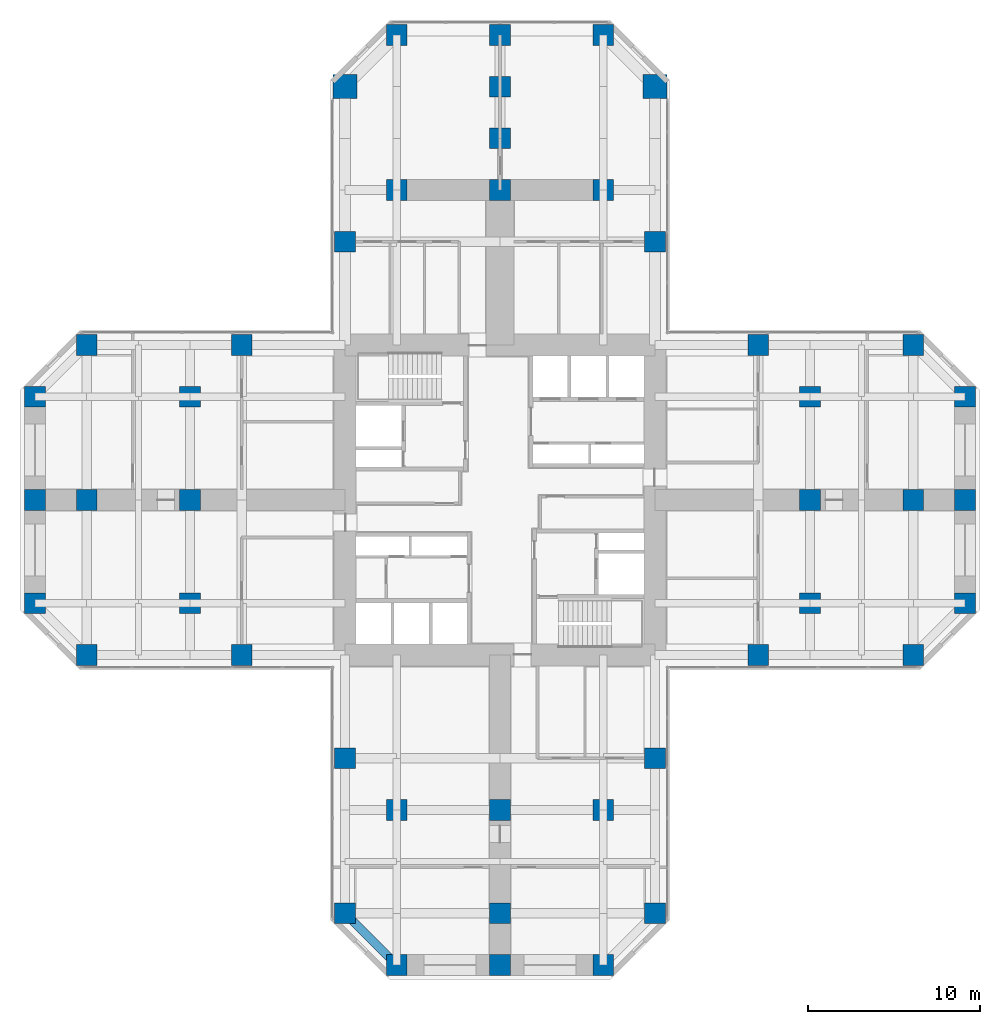
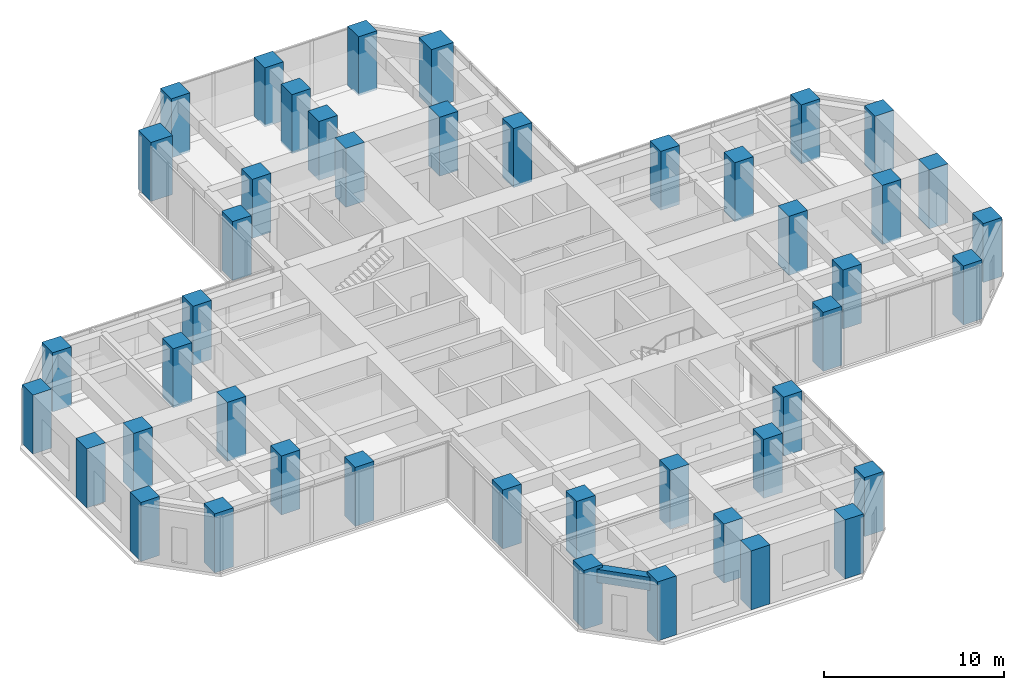
# One storey, part 1 of 12: 45 columns, 1 beam.
"""IFC4 building model written with IfcOpenShell, lengths in metres."""

from ifc_helpers import new_model, si_unit, direction, frame, origin, origin_2d, place, context, subcontext, project, spatial, rectangle, extrude, material, material_profile, profile_set, type_object, element, save


model = new_model("IFC4")

# Units and contexts
model_context = context("Model", 3, precision=1e-05, world=origin(), true_north=direction((0.0, 1.0)))
body_context = subcontext(model_context, "Body", "Model", "MODEL_VIEW")
ifc_project = project(units=[si_unit("LENGTHUNIT", "METRE"), si_unit("AREAUNIT", "SQUARE_METRE"), si_unit("VOLUMEUNIT", "CUBIC_METRE"), si_unit("PLANEANGLEUNIT", "RADIAN"), si_unit("MASSUNIT", "GRAM", prefix="KILO")], contexts=[model_context])

# Site, building, storey
site_placement = place(None, origin())
site = spatial("IfcSite", under=ifc_project, at=site_placement, CompositionType="ELEMENT")
building_placement = place(site_placement, origin())
building = spatial("IfcBuilding", under=site, at=building_placement, Name="Torre Cruceta", CompositionType="ELEMENT")
storey_placement = place(building_placement, frame((0.0, 0.0, 87.5)))
storey = spatial("IfcBuildingStorey", under=building, at=storey_placement, Name="L21", CompositionType="ELEMENT", Elevation=87.5)

# Columns
ifc_material_1 = material(Name="Concrete G60 (fck 60 MPa)", Category="concrete")
ifc_material_profile_1 = material_profile(ifc_material_1, rectangle(XDim=1.199951171875, YDim=1.199951171875, at=origin_2d()), Name="RC 1200X1200")
ifc_profile_set_1 = profile_set([ifc_material_profile_1], Name="Concrete G60 (fck 60 MPa)")
column_type_1 = type_object("IfcColumnType", Name="COLUMN RC 1200X1200", PredefinedType="COLUMN", material=ifc_profile_set_1)
for number, where, z_axis, x_axis, name in (
    (1, (9.0, 15.0, 0.0), (0.0, 0.0, 1.0), (1.0, 0.0, 0.0), "C3 L21 N side"),
    (2, (-9.0, 15.0, 0.0), (0.0, 0.0, 1.0), (1.0, 0.0, 0.0), "C3 L21 N side"),
    (3, (6.0, 27.0, 0.0), (0.0, 0.0, 1.0), (1.0, 0.0, 0.0), "C3 L21 N tip"),
    (4, (0.0, 27.0, 0.0), (0.0, 0.0, 1.0), (1.0, 0.0, 0.0), "C3 L21 N tip"),
    (5, (-6.0, 27.0, 0.0), (0.0, 0.0, 1.0), (1.0, 0.0, 0.0), "C3 L21 N tip"),
    (6, (15.0, -9.0, 0.0), (0.0, 0.0, 1.0), (1.0, 0.0, 0.0), "C3 L21 E side"),
    (7, (24.0, -9.0, 0.0), (0.0, 0.0, 1.0), (1.0, 0.0, 0.0), "C3 L21 E chamfer"),
    (8, (15.0, 9.0, 0.0), (0.0, 0.0, 1.0), (1.0, 0.0, 0.0), "C3 L21 E side"),
    (9, (24.0, 9.0, 0.0), (0.0, 0.0, 1.0), (1.0, 0.0, 0.0), "C3 L21 E chamfer"),
    (10, (27.0, -6.0, 0.0), (0.0, 0.0, 1.0), (1.0, 0.0, 0.0), "C3 L21 E tip"),
    (11, (27.0, 0.0, 0.0), (0.0, 0.0, 1.0), (1.0, 0.0, 0.0), "C3 L21 E tip"),
    (12, (27.0, 6.0, 0.0), (0.0, 0.0, 1.0), (1.0, 0.0, 0.0), "C3 L21 E tip"),
    (13, (-9.0, -15.0, 0.0), (0.0, 0.0, 1.0), (1.0, 0.0, 0.0), "C3 L21 S side"),
    (14, (-9.0, -24.0, 0.0), (0.0, 0.0, 1.0), (1.0, 0.0, 0.0), "C3 L21 S chamfer"),
    (15, (9.0, -15.0, 0.0), (0.0, 0.0, 1.0), (1.0, 0.0, 0.0), "C3 L21 S side"),
    (16, (9.0, -24.0, 0.0), (0.0, 0.0, 1.0), (1.0, 0.0, 0.0), "C3 L21 S chamfer"),
    (17, (-6.0, -27.0, 0.0), (0.0, 0.0, 1.0), (1.0, 0.0, 0.0), "C3 L21 S tip"),
    (18, (0.0, -27.0, 0.0), (0.0, 0.0, 1.0), (1.0, 0.0, 0.0), "C3 L21 S tip"),
    (19, (6.0, -27.0, 0.0), (0.0, 0.0, 1.0), (1.0, 0.0, 0.0), "C3 L21 S tip"),
    (20, (-15.0, 9.0, 0.0), (0.0, 0.0, 1.0), (1.0, 0.0, 0.0), "C3 L21 W side"),
    (21, (-24.0, 9.0, 0.0), (0.0, 0.0, 1.0), (1.0, 0.0, 0.0), "C3 L21 W chamfer"),
    (22, (-15.0, -9.0, 0.0), (0.0, 0.0, 1.0), (1.0, 0.0, 0.0), "C3 L21 W side"),
    (23, (-24.0, -9.0, 0.0), (0.0, 0.0, 1.0), (1.0, 0.0, 0.0), "C3 L21 W chamfer"),
    (24, (-27.0, 6.0, 0.0), (0.0, 0.0, 1.0), (1.0, 0.0, 0.0), "C3 L21 W tip"),
    (25, (-27.0, 0.0, 0.0), (0.0, 0.0, 1.0), (1.0, 0.0, 0.0), "C3 L21 W tip"),
    (26, (-27.0, -6.0, 0.0), (0.0, 0.0, 1.0), (1.0, 0.0, 0.0), "C3 L21 W tip"),
    (27, (6.0, 18.0, 0.0), (0.0, 0.0, 1.0), (1.0, 0.0, 0.0), "C3 L21 N interior"),
    (28, (0.0, 18.0, 0.0), (0.0, 0.0, 1.0), (1.0, 0.0, 0.0), "C3 L21 N interior"),
    (29, (-6.0, 18.0, 0.0), (0.0, 0.0, 1.0), (1.0, 0.0, 0.0), "C3 L21 N interior"),
    (30, (0.0, 21.0, 0.0), (0.0, 0.0, 1.0), (1.0, 0.0, 0.0), "C3 L21 N interior"),
    (31, (0.0, 24.0, 0.0), (0.0, 0.0, 1.0), (1.0, 0.0, 0.0), "C3 L21 N interior"),
    (32, (18.0, -6.0, 0.0), (0.0, 0.0, 1.0), (1.0, 0.0, 0.0), "C3 L21 E interior"),
    (33, (18.0, 0.0, 0.0), (0.0, 0.0, 1.0), (1.0, 0.0, 0.0), "C3 L21 E interior"),
    (34, (18.0, 6.0, 0.0), (0.0, 0.0, 1.0), (1.0, 0.0, 0.0), "C3 L21 E interior"),
    (35, (24.0, 0.0, 0.0), (0.0, 0.0, 1.0), (1.0, 0.0, 0.0), "C3 L21 E interior"),
    (36, (-6.0, -18.0, 0.0), (0.0, 0.0, 1.0), (1.0, 0.0, 0.0), "C3 L21 S interior"),
    (37, (0.0, -18.0, 0.0), (0.0, 0.0, 1.0), (1.0, 0.0, 0.0), "C3 L21 S interior"),
    (38, (6.0, -18.0, 0.0), (0.0, 0.0, 1.0), (1.0, 0.0, 0.0), "C3 L21 S interior"),
    (39, (0.0, -24.0, 0.0), (0.0, 0.0, 1.0), (1.0, 0.0, 0.0), "C3 L21 S interior"),
    (40, (-18.0, 6.0, 0.0), (0.0, 0.0, 1.0), (1.0, 0.0, 0.0), "C3 L21 W interior"),
    (41, (-18.0, 0.0, 0.0), (0.0, 0.0, 1.0), (1.0, 0.0, 0.0), "C3 L21 W interior"),
    (42, (-18.0, -6.0, 0.0), (0.0, 0.0, 1.0), (1.0, 0.0, 0.0), "C3 L21 W interior"),
    (43, (-24.0, 0.0, 0.0), (0.0, 0.0, 1.0), (1.0, 0.0, 0.0), "C3 L21 W interior"),
):
    element("IfcColumn", number, at=place(storey_placement, frame(where, z_axis=z_axis, x_axis=x_axis)), inside=storey, type_object=column_type_1, Name=name, PredefinedType="COLUMN", context=body_context, shape_type="SweptSolid", body=[
        extrude(rectangle(XDim=1.199951171875, YDim=1.199951171875, at=origin_2d()), origin(), (0.0, 0.0, 1.0), 4.0),
    ])
ifc_material_2 = material(Name="Concrete G60 (fck 60 MPa)", Category="concrete")
ifc_material_profile_2 = material_profile(ifc_material_2, rectangle(XDim=1.39990234375, YDim=1.39990234375, at=origin_2d()), Name="RC 1400X1400")
ifc_profile_set_2 = profile_set([ifc_material_profile_2], Name="Concrete G60 (fck 60 MPa)")
column_type_2 = type_object("IfcColumnType", Name="COLUMN RC 1400X1400", PredefinedType="COLUMN", material=ifc_profile_set_2)
for number, where, z_axis, x_axis, name in (
    (44, (9.0, 24.0, 0.0), (0.0, 0.0, 1.0), (1.0, 0.0, 0.0), "C1 L21 N chamfer"),
    (45, (-9.0, 24.0, 0.0), (0.0, 0.0, 1.0), (1.0, 0.0, 0.0), "C1 L21 N chamfer"),
):
    element("IfcColumn", number, at=place(storey_placement, frame(where, z_axis=z_axis, x_axis=x_axis)), inside=storey, type_object=column_type_2, Name=name, PredefinedType="COLUMN", context=body_context, shape_type="SweptSolid", body=[
        extrude(rectangle(XDim=1.39990234375, YDim=1.39990234375, at=origin_2d()), origin(), (0.0, 0.0, 1.0), 4.0),
    ])

# Beam
ifc_material_3 = material(Name="Concrete G60 (fck 60 MPa)", Category="concrete")
ifc_material_profile_3 = material_profile(ifc_material_3, rectangle(XDim=0.5, YDim=0.89990234375, at=origin_2d()), Name="RC 500X900")
ifc_profile_set_3 = profile_set([ifc_material_profile_3], Name="Concrete G60 (fck 60 MPa)")
beam_type = type_object("IfcBeamType", Name="SPANDREL BEAM RC 500X900", PredefinedType="SPANDREL", material=ifc_profile_set_3)
beam_placement = place(storey_placement, frame((-9.0, -24.0, 3.35009765625), z_axis=(0.707106781187, -0.707106781187, 0.0), x_axis=(0.707106781187, 0.707106781187, 0.0)))
element("IfcBeam", 46, at=beam_placement, inside=storey, type_object=beam_type, Name="SB4 L21 S side- 5", PredefinedType="SPANDREL", context=body_context, shape_type="SweptSolid", body=[
    extrude(rectangle(XDim=0.5, YDim=0.89990234375, at=origin_2d()), origin(), (0.0, 0.0, 1.0), 4.24267578125),
])

save(model, "model.ifc")
